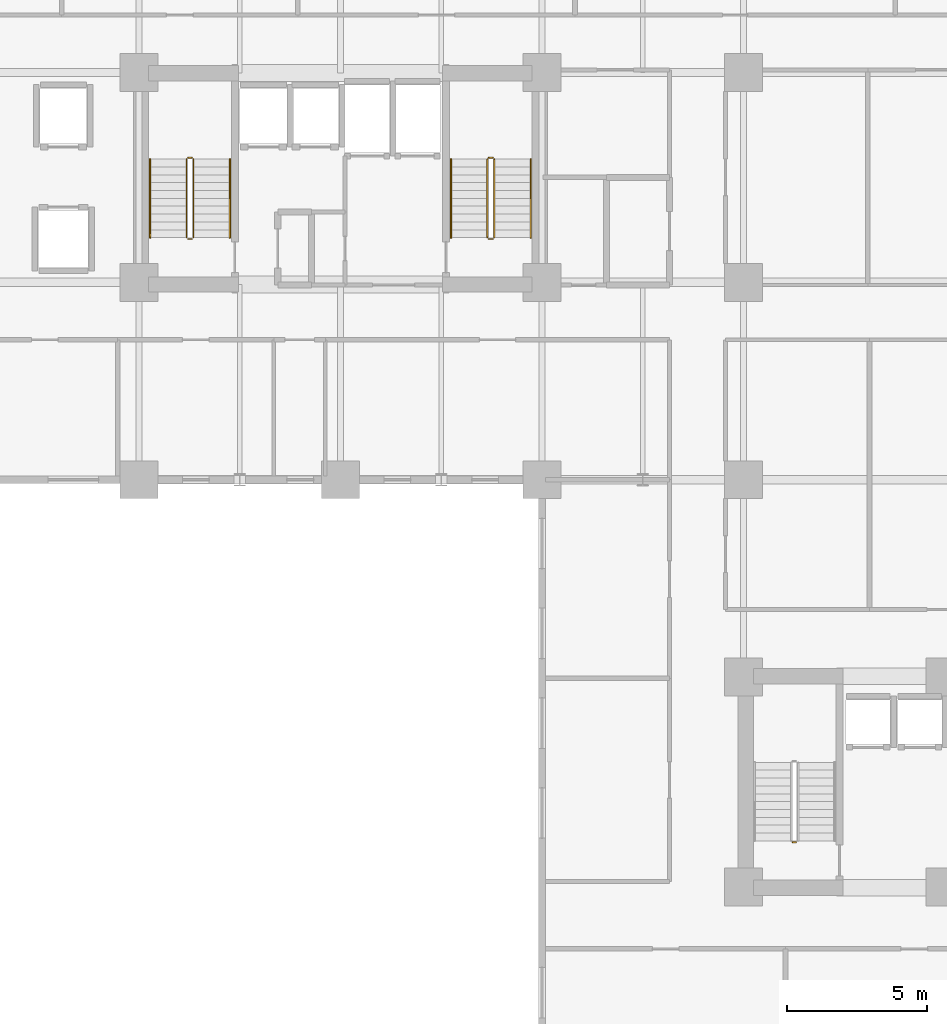
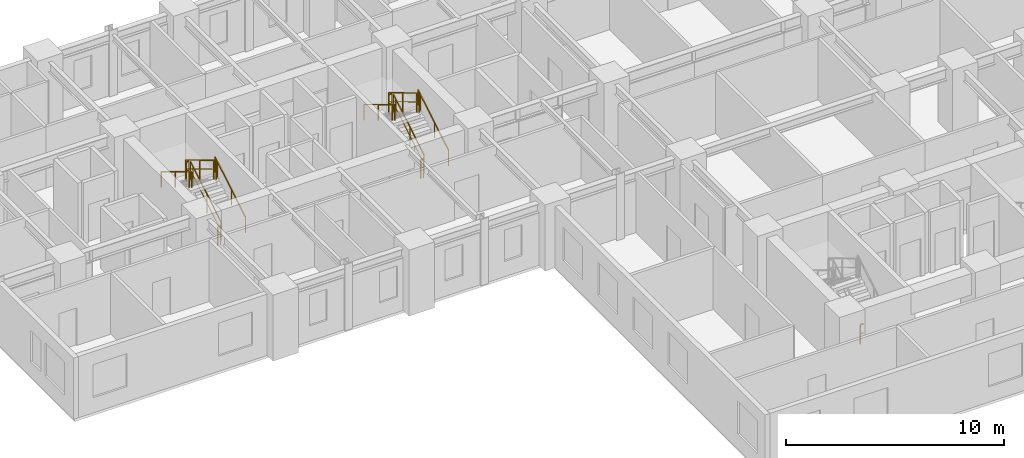
# One storey, part 9 of 11: 13 railings.
"""IFC4 building model written with IfcOpenShell, lengths in metres."""

from ifc_helpers import new_model, si_unit, direction, frame, origin, origin_2d, place, context, subcontext, project, spatial, rectangle, extrude, material, type_object, element, save


model = new_model("IFC4")

# Units and contexts
model_context = context("Model", 3, precision=1e-05, world=origin(), true_north=direction((0.0, 1.0)))
body_context = subcontext(model_context, "Body", "Model", "MODEL_VIEW")
ifc_project = project(units=[si_unit("LENGTHUNIT", "METRE"), si_unit("AREAUNIT", "SQUARE_METRE"), si_unit("VOLUMEUNIT", "CUBIC_METRE"), si_unit("PLANEANGLEUNIT", "RADIAN"), si_unit("MASSUNIT", "GRAM", prefix="KILO")], contexts=[model_context])

# Site, building, storey
site_placement = place(None, origin())
site = spatial("IfcSite", under=ifc_project, at=site_placement, CompositionType="ELEMENT")
building_placement = place(site_placement, origin())
building = spatial("IfcBuilding", under=site, at=building_placement, Name="Kaliganga Portal Commons", CompositionType="ELEMENT")
storey_placement = place(building_placement, frame((0.0, 0.0, 40.10009765625)))
storey = spatial("IfcBuildingStorey", under=building, at=storey_placement, Name="L09", CompositionType="ELEMENT", Elevation=40.10009765625)

# Railings
ifc_material_1 = material(Name="Galvanized Painted Steel Balustrade", Category="steel")
railing_type_1 = type_object("IfcRailingType", Name="RLG-STAIR-GRD", PredefinedType="GUARDRAIL", material=ifc_material_1)
railing_1_placement = place(storey_placement, frame((16.35009765625, 30.25, 0.16796875)))
element("IfcRailing", 1, at=railing_1_placement, inside=storey, type_object=railing_type_1, Name="L09 ST-A1 stair guard 1", PredefinedType="GUARDRAIL", context=body_context, shape_type="SweptSolid", body=[
    extrude(rectangle(XDim=0.048095703125, YDim=0.048095703125, at=origin_2d()), frame((0.0, 0.0, 1.072021484375), z_axis=(0.0, 0.857242210791, 0.514913383045), x_axis=(-1.0, 0.0, 0.0)), (0.0, 0.0, 1.0), 3.266357421875),
    extrude(rectangle(XDim=0.028076171875, YDim=0.028076171875, at=origin_2d()), frame((0.0, 0.0, 0.572021484375), z_axis=(0.0, 0.857242210791, 0.514913383045), x_axis=(-1.0, 0.0, 0.0)), (0.0, 0.0, 1.0), 3.266357421875),
    extrude(rectangle(XDim=0.0419921875, YDim=0.0419921875, at=origin_2d()), origin(), (0.0, 0.0, 1.0), 1.052001953125),
    extrude(rectangle(XDim=0.0419921875, YDim=0.0419921875, at=origin_2d()), frame((0.0, 1.285888671875, 0.7724609375)), (0.0, 0.0, 1.0), 1.052001953125),
    extrude(rectangle(XDim=0.0419921875, YDim=0.0419921875, at=origin_2d()), frame((0.0, 2.57177734375, 1.544677734375)), (0.0, 0.0, 1.0), 1.052001953125),
    extrude(rectangle(XDim=0.0419921875, YDim=0.0419921875, at=origin_2d()), frame((0.0, 2.800048828125, 1.681884765625)), (0.0, 0.0, 1.0), 1.052001953125),
])
railing_2_placement = place(storey_placement, frame((16.300048828125, 33.10009765625, 1.849853515625)))
element("IfcRailing", 2, at=railing_2_placement, inside=storey, type_object=railing_type_1, Name="L09 ST-A1 stair guard 2", PredefinedType="GUARDRAIL", context=body_context, shape_type="SweptSolid", body=[
    extrude(rectangle(XDim=0.048095703125, YDim=0.048095703125, at=origin_2d()), frame((0.0, 0.0, 1.076171875), z_axis=(-1.0, 0.0, 0.0), x_axis=(0.0, -1.0, 0.0)), (0.0, 0.0, 1.0), 0.150146484375),
    extrude(rectangle(XDim=0.028076171875, YDim=0.028076171875, at=origin_2d()), frame((0.0, 0.0, 0.572021484375), z_axis=(-1.0, 0.0, 0.0), x_axis=(0.0, -1.0, 0.0)), (0.0, 0.0, 1.0), 0.150146484375),
    extrude(rectangle(XDim=0.0419921875, YDim=0.0419921875, at=origin_2d()), origin(), (0.0, 0.0, 1.0), 1.052001953125),
    extrude(rectangle(XDim=0.0419921875, YDim=0.0419921875, at=origin_2d()), frame((-0.150146484375, 0.0, 0.0)), (0.0, 0.0, 1.0), 1.052001953125),
])
railing_3_placement = place(storey_placement, frame((16.10009765625, 33.050048828125, 2.01806640625)))
element("IfcRailing", 3, at=railing_3_placement, inside=storey, type_object=railing_type_1, Name="L09 ST-A1 stair guard 3", PredefinedType="GUARDRAIL", context=body_context, shape_type="SweptSolid", body=[
    extrude(rectangle(XDim=0.048095703125, YDim=0.048095703125, at=origin_2d()), frame((0.0, 0.0, 1.072021484375), z_axis=(0.0, -0.857242210791, 0.514913383045), x_axis=(1.0, 0.0, 0.0)), (0.0, 0.0, 1.0), 3.266357421875),
    extrude(rectangle(XDim=0.028076171875, YDim=0.028076171875, at=origin_2d()), frame((0.0, 0.0, 0.572021484375), z_axis=(0.0, -0.857242210791, 0.514913383045), x_axis=(1.0, 0.0, 0.0)), (0.0, 0.0, 1.0), 3.266357421875),
    extrude(rectangle(XDim=0.0419921875, YDim=0.0419921875, at=origin_2d()), origin(), (0.0, 0.0, 1.0), 1.052001953125),
    extrude(rectangle(XDim=0.0419921875, YDim=0.0419921875, at=origin_2d()), frame((0.0, -1.285888671875, 0.7724609375)), (0.0, 0.0, 1.0), 1.052001953125),
    extrude(rectangle(XDim=0.0419921875, YDim=0.0419921875, at=origin_2d()), frame((0.0, -2.57177734375, 1.544677734375)), (0.0, 0.0, 1.0), 1.052001953125),
    extrude(rectangle(XDim=0.0419921875, YDim=0.0419921875, at=origin_2d()), frame((0.0, -2.800048828125, 1.681884765625)), (0.0, 0.0, 1.0), 1.052001953125),
])
railing_4_placement = place(storey_placement, frame((16.300048828125, 30.199951171875, 0.0)))
element("IfcRailing", 4, at=railing_4_placement, inside=storey, type_object=railing_type_1, Name="L09 ST-A1 stair guard 4", PredefinedType="GUARDRAIL", context=body_context, shape_type="SweptSolid", body=[
    extrude(rectangle(XDim=0.048095703125, YDim=0.048095703125, at=origin_2d()), frame((0.0, 0.0, 1.076171875), z_axis=(-1.0, 0.0, 0.0), x_axis=(0.0, -1.0, 0.0)), (0.0, 0.0, 1.0), 0.150146484375),
    extrude(rectangle(XDim=0.028076171875, YDim=0.028076171875, at=origin_2d()), frame((0.0, 0.0, 0.572021484375), z_axis=(-1.0, 0.0, 0.0), x_axis=(0.0, -1.0, 0.0)), (0.0, 0.0, 1.0), 0.150146484375),
    extrude(rectangle(XDim=0.0419921875, YDim=0.0419921875, at=origin_2d()), origin(), (0.0, 0.0, 1.0), 1.052001953125),
    extrude(rectangle(XDim=0.0419921875, YDim=0.0419921875, at=origin_2d()), frame((-0.150146484375, 0.0, 0.0)), (0.0, 0.0, 1.0), 1.052001953125),
])
railing_5_placement = place(storey_placement, frame((27.10009765625, 30.25, 0.16796875)))
element("IfcRailing", 5, at=railing_5_placement, inside=storey, type_object=railing_type_1, Name="L09 ST-A2 stair guard 1", PredefinedType="GUARDRAIL", context=body_context, shape_type="SweptSolid", body=[
    extrude(rectangle(XDim=0.048095703125, YDim=0.048095703125, at=origin_2d()), frame((0.0, 0.0, 1.072021484375), z_axis=(0.0, 0.857242210791, 0.514913383045), x_axis=(-1.0, 0.0, 0.0)), (0.0, 0.0, 1.0), 3.266357421875),
    extrude(rectangle(XDim=0.028076171875, YDim=0.028076171875, at=origin_2d()), frame((0.0, 0.0, 0.572021484375), z_axis=(0.0, 0.857242210791, 0.514913383045), x_axis=(-1.0, 0.0, 0.0)), (0.0, 0.0, 1.0), 3.266357421875),
    extrude(rectangle(XDim=0.0419921875, YDim=0.0419921875, at=origin_2d()), origin(), (0.0, 0.0, 1.0), 1.052001953125),
    extrude(rectangle(XDim=0.0419921875, YDim=0.0419921875, at=origin_2d()), frame((0.0, 1.285888671875, 0.7724609375)), (0.0, 0.0, 1.0), 1.052001953125),
    extrude(rectangle(XDim=0.0419921875, YDim=0.0419921875, at=origin_2d()), frame((0.0, 2.57177734375, 1.544677734375)), (0.0, 0.0, 1.0), 1.052001953125),
    extrude(rectangle(XDim=0.0419921875, YDim=0.0419921875, at=origin_2d()), frame((0.0, 2.800048828125, 1.681884765625)), (0.0, 0.0, 1.0), 1.052001953125),
])
railing_6_placement = place(storey_placement, frame((27.050048828125, 33.10009765625, 1.849853515625)))
element("IfcRailing", 6, at=railing_6_placement, inside=storey, type_object=railing_type_1, Name="L09 ST-A2 stair guard 2", PredefinedType="GUARDRAIL", context=body_context, shape_type="SweptSolid", body=[
    extrude(rectangle(XDim=0.048095703125, YDim=0.048095703125, at=origin_2d()), frame((0.0, 0.0, 1.076171875), z_axis=(-1.0, 0.0, 0.0), x_axis=(0.0, -1.0, 0.0)), (0.0, 0.0, 1.0), 0.150146484375),
    extrude(rectangle(XDim=0.028076171875, YDim=0.028076171875, at=origin_2d()), frame((0.0, 0.0, 0.572021484375), z_axis=(-1.0, 0.0, 0.0), x_axis=(0.0, -1.0, 0.0)), (0.0, 0.0, 1.0), 0.150146484375),
    extrude(rectangle(XDim=0.0419921875, YDim=0.0419921875, at=origin_2d()), origin(), (0.0, 0.0, 1.0), 1.052001953125),
    extrude(rectangle(XDim=0.0419921875, YDim=0.0419921875, at=origin_2d()), frame((-0.150146484375, 0.0, 0.0)), (0.0, 0.0, 1.0), 1.052001953125),
])
railing_7_placement = place(storey_placement, frame((26.85009765625, 33.050048828125, 2.01806640625)))
element("IfcRailing", 7, at=railing_7_placement, inside=storey, type_object=railing_type_1, Name="L09 ST-A2 stair guard 3", PredefinedType="GUARDRAIL", context=body_context, shape_type="SweptSolid", body=[
    extrude(rectangle(XDim=0.048095703125, YDim=0.048095703125, at=origin_2d()), frame((0.0, 0.0, 1.072021484375), z_axis=(0.0, -0.857242210791, 0.514913383045), x_axis=(1.0, 0.0, 0.0)), (0.0, 0.0, 1.0), 3.266357421875),
    extrude(rectangle(XDim=0.028076171875, YDim=0.028076171875, at=origin_2d()), frame((0.0, 0.0, 0.572021484375), z_axis=(0.0, -0.857242210791, 0.514913383045), x_axis=(1.0, 0.0, 0.0)), (0.0, 0.0, 1.0), 3.266357421875),
    extrude(rectangle(XDim=0.0419921875, YDim=0.0419921875, at=origin_2d()), origin(), (0.0, 0.0, 1.0), 1.052001953125),
    extrude(rectangle(XDim=0.0419921875, YDim=0.0419921875, at=origin_2d()), frame((0.0, -1.285888671875, 0.7724609375)), (0.0, 0.0, 1.0), 1.052001953125),
    extrude(rectangle(XDim=0.0419921875, YDim=0.0419921875, at=origin_2d()), frame((0.0, -2.57177734375, 1.544677734375)), (0.0, 0.0, 1.0), 1.052001953125),
    extrude(rectangle(XDim=0.0419921875, YDim=0.0419921875, at=origin_2d()), frame((0.0, -2.800048828125, 1.681884765625)), (0.0, 0.0, 1.0), 1.052001953125),
])
railing_8_placement = place(storey_placement, frame((27.050048828125, 30.199951171875, 0.0)))
element("IfcRailing", 8, at=railing_8_placement, inside=storey, type_object=railing_type_1, Name="L09 ST-A2 stair guard 4", PredefinedType="GUARDRAIL", context=body_context, shape_type="SweptSolid", body=[
    extrude(rectangle(XDim=0.048095703125, YDim=0.048095703125, at=origin_2d()), frame((0.0, 0.0, 1.076171875), z_axis=(-1.0, 0.0, 0.0), x_axis=(0.0, -1.0, 0.0)), (0.0, 0.0, 1.0), 0.150146484375),
    extrude(rectangle(XDim=0.028076171875, YDim=0.028076171875, at=origin_2d()), frame((0.0, 0.0, 0.572021484375), z_axis=(-1.0, 0.0, 0.0), x_axis=(0.0, -1.0, 0.0)), (0.0, 0.0, 1.0), 0.150146484375),
    extrude(rectangle(XDim=0.0419921875, YDim=0.0419921875, at=origin_2d()), origin(), (0.0, 0.0, 1.0), 1.052001953125),
    extrude(rectangle(XDim=0.0419921875, YDim=0.0419921875, at=origin_2d()), frame((-0.150146484375, 0.0, 0.0)), (0.0, 0.0, 1.0), 1.052001953125),
])
railing_9_placement = place(storey_placement, frame((37.89990234375, 8.64990234375, 0.0)))
element("IfcRailing", 9, at=railing_9_placement, inside=storey, type_object=railing_type_1, Name="L09 ST-B1 stair guard 4", PredefinedType="GUARDRAIL", context=body_context, shape_type="SweptSolid", body=[
    extrude(rectangle(XDim=0.048095703125, YDim=0.048095703125, at=origin_2d()), frame((0.0, 0.0, 1.076171875), z_axis=(-1.0, 0.0, 0.0), x_axis=(0.0, -1.0, 0.0)), (0.0, 0.0, 1.0), 0.14990234375),
    extrude(rectangle(XDim=0.028076171875, YDim=0.028076171875, at=origin_2d()), frame((0.0, 0.0, 0.572021484375), z_axis=(-1.0, 0.0, 0.0), x_axis=(0.0, -1.0, 0.0)), (0.0, 0.0, 1.0), 0.14990234375),
    extrude(rectangle(XDim=0.0419921875, YDim=0.0419921875, at=origin_2d()), frame((-0.14990234375, 0.0, 0.0)), (0.0, 0.0, 1.0), 1.052001953125),
])
ifc_material_2 = material(Name="Brushed Stainless Steel 316", Category="steel")
railing_type_2 = type_object("IfcRailingType", Name="RLG-STAIR-HR", PredefinedType="HANDRAIL", material=ifc_material_2)
railing_10_placement = place(storey_placement, frame((17.64990234375, 30.25, 0.16796875)))
element("IfcRailing", 10, at=railing_10_placement, inside=storey, type_object=railing_type_2, Name="L09 ST-A1 stair handrail 1", PredefinedType="HANDRAIL", context=body_context, shape_type="SweptSolid", body=[
    extrude(rectangle(XDim=0.048095703125, YDim=0.048095703125, at=origin_2d()), frame((0.0, 0.0, 0.871826171875), z_axis=(0.0, 0.857242210791, 0.514913383045), x_axis=(-1.0, 0.0, 0.0)), (0.0, 0.0, 1.0), 3.266357421875),
    extrude(rectangle(XDim=0.0419921875, YDim=0.0419921875, at=origin_2d()), origin(), (0.0, 0.0, 1.0), 0.851806640625),
    extrude(rectangle(XDim=0.0419921875, YDim=0.0419921875, at=origin_2d()), frame((0.0, 1.285888671875, 0.7724609375)), (0.0, 0.0, 1.0), 0.851806640625),
    extrude(rectangle(XDim=0.0419921875, YDim=0.0419921875, at=origin_2d()), frame((0.0, 2.57177734375, 1.544677734375)), (0.0, 0.0, 1.0), 0.851806640625),
    extrude(rectangle(XDim=0.0419921875, YDim=0.0419921875, at=origin_2d()), frame((0.0, 2.800048828125, 1.681884765625)), (0.0, 0.0, 1.0), 0.851806640625),
])
railing_11_placement = place(storey_placement, frame((14.800048828125, 33.050048828125, 2.01806640625)))
element("IfcRailing", 11, at=railing_11_placement, inside=storey, type_object=railing_type_2, Name="L09 ST-A1 stair handrail 2", PredefinedType="HANDRAIL", context=body_context, shape_type="SweptSolid", body=[
    extrude(rectangle(XDim=0.048095703125, YDim=0.048095703125, at=origin_2d()), frame((0.0, 0.0, 0.871826171875), z_axis=(0.0, -0.857242210791, 0.514913383045), x_axis=(1.0, 0.0, 0.0)), (0.0, 0.0, 1.0), 3.266357421875),
    extrude(rectangle(XDim=0.0419921875, YDim=0.0419921875, at=origin_2d()), origin(), (0.0, 0.0, 1.0), 0.851806640625),
    extrude(rectangle(XDim=0.0419921875, YDim=0.0419921875, at=origin_2d()), frame((0.0, -1.285888671875, 0.7724609375)), (0.0, 0.0, 1.0), 0.851806640625),
    extrude(rectangle(XDim=0.0419921875, YDim=0.0419921875, at=origin_2d()), frame((0.0, -2.57177734375, 1.544677734375)), (0.0, 0.0, 1.0), 0.851806640625),
    extrude(rectangle(XDim=0.0419921875, YDim=0.0419921875, at=origin_2d()), frame((0.0, -2.800048828125, 1.681884765625)), (0.0, 0.0, 1.0), 0.851806640625),
])
railing_12_placement = place(storey_placement, frame((28.39990234375, 30.25, 0.16796875)))
element("IfcRailing", 12, at=railing_12_placement, inside=storey, type_object=railing_type_2, Name="L09 ST-A2 stair handrail 1", PredefinedType="HANDRAIL", context=body_context, shape_type="SweptSolid", body=[
    extrude(rectangle(XDim=0.048095703125, YDim=0.048095703125, at=origin_2d()), frame((0.0, 0.0, 0.871826171875), z_axis=(0.0, 0.857242210791, 0.514913383045), x_axis=(-1.0, 0.0, 0.0)), (0.0, 0.0, 1.0), 3.266357421875),
    extrude(rectangle(XDim=0.0419921875, YDim=0.0419921875, at=origin_2d()), origin(), (0.0, 0.0, 1.0), 0.851806640625),
    extrude(rectangle(XDim=0.0419921875, YDim=0.0419921875, at=origin_2d()), frame((0.0, 1.285888671875, 0.7724609375)), (0.0, 0.0, 1.0), 0.851806640625),
    extrude(rectangle(XDim=0.0419921875, YDim=0.0419921875, at=origin_2d()), frame((0.0, 2.57177734375, 1.544677734375)), (0.0, 0.0, 1.0), 0.851806640625),
    extrude(rectangle(XDim=0.0419921875, YDim=0.0419921875, at=origin_2d()), frame((0.0, 2.800048828125, 1.681884765625)), (0.0, 0.0, 1.0), 0.851806640625),
])
railing_13_placement = place(storey_placement, frame((25.550048828125, 33.050048828125, 2.01806640625)))
element("IfcRailing", 13, at=railing_13_placement, inside=storey, type_object=railing_type_2, Name="L09 ST-A2 stair handrail 2", PredefinedType="HANDRAIL", context=body_context, shape_type="SweptSolid", body=[
    extrude(rectangle(XDim=0.048095703125, YDim=0.048095703125, at=origin_2d()), frame((0.0, 0.0, 0.871826171875), z_axis=(0.0, -0.857242210791, 0.514913383045), x_axis=(1.0, 0.0, 0.0)), (0.0, 0.0, 1.0), 3.266357421875),
    extrude(rectangle(XDim=0.0419921875, YDim=0.0419921875, at=origin_2d()), origin(), (0.0, 0.0, 1.0), 0.851806640625),
    extrude(rectangle(XDim=0.0419921875, YDim=0.0419921875, at=origin_2d()), frame((0.0, -1.285888671875, 0.7724609375)), (0.0, 0.0, 1.0), 0.851806640625),
    extrude(rectangle(XDim=0.0419921875, YDim=0.0419921875, at=origin_2d()), frame((0.0, -2.57177734375, 1.544677734375)), (0.0, 0.0, 1.0), 0.851806640625),
    extrude(rectangle(XDim=0.0419921875, YDim=0.0419921875, at=origin_2d()), frame((0.0, -2.800048828125, 1.681884765625)), (0.0, 0.0, 1.0), 0.851806640625),
])

save(model, "model.ifc")
